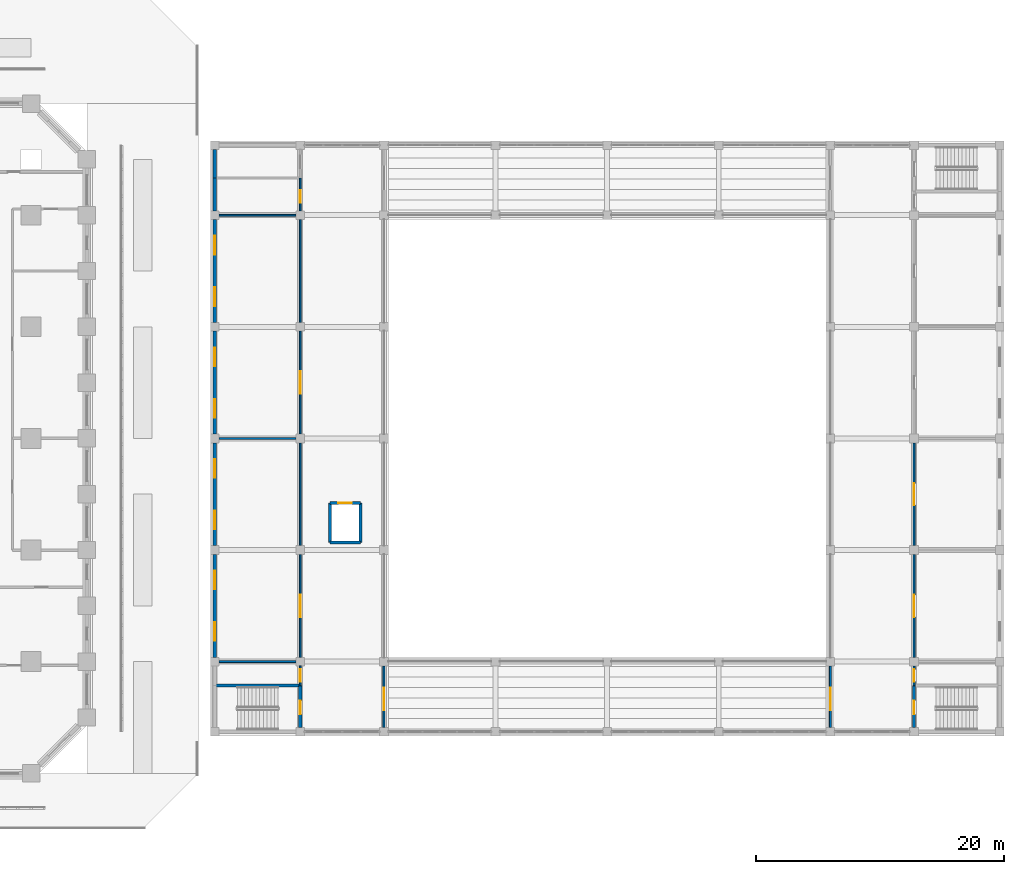
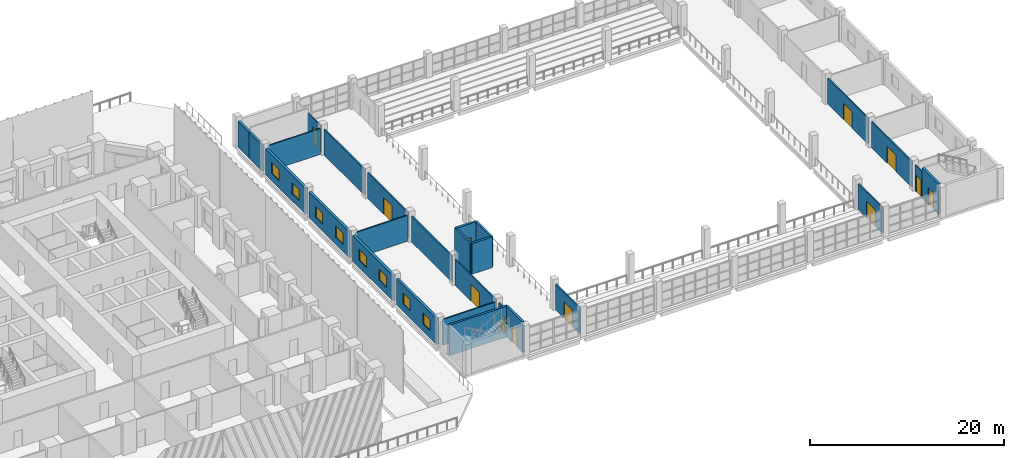
# One storey, part 23 of 36: 27 walls, 12 doors, 8 windows, 20 openings.
"""IFC4 building model written with IfcOpenShell, lengths in metres."""

from ifc_helpers import new_model, si_unit, direction, frame, frame_2d, origin, place, context, subcontext, project, spatial, rectangle, extrude, material, layer, layer_set, type_object, element, fill, save


model = new_model("IFC4")

# Units and contexts
model_context = context("Model", 3, precision=1e-05, world=origin(), true_north=direction((0.0, 1.0)))
body_context = subcontext(model_context, "Body", "Model", "MODEL_VIEW")
ifc_project = project(units=[si_unit("LENGTHUNIT", "METRE"), si_unit("AREAUNIT", "SQUARE_METRE"), si_unit("VOLUMEUNIT", "CUBIC_METRE"), si_unit("PLANEANGLEUNIT", "RADIAN"), si_unit("MASSUNIT", "GRAM", prefix="KILO")], contexts=[model_context])

# Site, building, storey
site_placement = place(None, origin())
site = spatial("IfcSite", under=ifc_project, at=site_placement, CompositionType="ELEMENT")
building_placement = place(site_placement, origin())
building = spatial("IfcBuilding", under=site, at=building_placement, Name="Corbel Stack Research Tower", CompositionType="ELEMENT")
storey_placement = place(building_placement, frame((0.0, 0.0, 7.199951171875)))
storey = spatial("IfcBuildingStorey", under=building, at=storey_placement, Name="L01", CompositionType="ELEMENT", Elevation=7.199951171875)

# Wall, openings, windows
ifc_material_1 = material(Name="Concrete C40/50", Category="concrete")
ifc_layer_1 = layer(ifc_material_1, 0.300048828125)
ifc_layer_set_1 = layer_set([ifc_layer_1], Name="Concrete C40/50")
wall_type_1 = type_object("IfcWallType", Name="HW1 exterior wall 300", PredefinedType="SOLIDWALL", material=ifc_layer_set_1)
wall_1_placement = place(storey_placement, frame((37.300048828125, -17.64990234375, 0.0), z_axis=(0.0, 0.0, 1.0), x_axis=(0.0, 1.0, 0.0)))
wall_1 = element("IfcWall", 1, at=wall_1_placement, inside=storey, type_object=wall_type_1, Name="Exterior wall L01 v37.30/-17.6", PredefinedType="SOLIDWALL", context=body_context, shape_type="SweptSolid", body=[
    extrude(rectangle(XDim=8.2998046875, YDim=0.300048828125, at=frame_2d((4.14990234375, 0.0))), origin(), (0.0, 0.0, 1.0), 3.25),
])
opening_1_placement = place(wall_1_placement, frame((1.324951171875, 0.0, 0.89990234375)))
opening_1 = element("IfcOpeningElement", 2, at=opening_1_placement, cuts=wall_1, Name="Opening HX1", PredefinedType="OPENING", context=body_context, shape_type="SweptSolid", body=[
    extrude(rectangle(XDim=1.5, YDim=1.39990234375, at=frame_2d((0.75, 0.699951171875))), frame((0.0, 0.159912109375, 0.0), z_axis=(0.0, -1.0, 0.0), x_axis=(1.0, 0.0, 0.0)), (0.0, 0.0, 1.0), 0.320068359375),
])
opening_2_placement = place(wall_1_placement, frame((5.47509765625, 0.0, 0.89990234375)))
opening_2 = element("IfcOpeningElement", 3, at=opening_2_placement, cuts=wall_1, Name="Opening HX1", PredefinedType="OPENING", context=body_context, shape_type="SweptSolid", body=[
    extrude(rectangle(XDim=1.5, YDim=1.39990234375, at=frame_2d((0.75, 0.699951171875))), frame((0.0, 0.159912109375, 0.0), z_axis=(0.0, -1.0, 0.0), x_axis=(1.0, 0.0, 0.0)), (0.0, 0.0, 1.0), 0.320068359375),
])
ifc_material_2 = material(Name="Glass and aluminium", Category="aluminium")
window_type = type_object("IfcWindowType", Name="HW6 window 1500 x 1400", PartitioningType="SINGLE_PANEL", PredefinedType="WINDOW", material=ifc_material_2)
window_1_placement = place(opening_1_placement, origin())
window_1 = element("IfcWindow", 4, at=window_1_placement, inside=storey, type_object=window_type, Name="Window L01 Strength and fitness studio", OverallHeight=1.39990234375, OverallWidth=1.5, PartitioningType="SINGLE_PANEL", PredefinedType="WINDOW", context=body_context, shape_type="SweptSolid", body=[
    extrude(rectangle(XDim=1.5, YDim=1.39990234375, at=frame_2d((0.75, 0.699951171875))), frame((0.0, 0.030029296875, 0.0), z_axis=(0.0, -1.0, 0.0), x_axis=(1.0, 0.0, 0.0)), (0.0, 0.0, 1.0), 0.06005859375),
])
fill(opening_1, window_1)
window_2_placement = place(opening_2_placement, origin())
window_2 = element("IfcWindow", 5, at=window_2_placement, inside=storey, type_object=window_type, Name="Window L01 Strength and fitness studio", OverallHeight=1.39990234375, OverallWidth=1.5, PartitioningType="SINGLE_PANEL", PredefinedType="WINDOW", context=body_context, shape_type="SweptSolid", body=[
    extrude(rectangle(XDim=1.5, YDim=1.39990234375, at=frame_2d((0.75, 0.699951171875))), frame((0.0, 0.030029296875, 0.0), z_axis=(0.0, -1.0, 0.0), x_axis=(1.0, 0.0, 0.0)), (0.0, 0.0, 1.0), 0.06005859375),
])
fill(opening_2, window_2)

wall_2_placement = place(storey_placement, frame((37.300048828125, -8.64990234375, 0.0), z_axis=(0.0, 0.0, 1.0), x_axis=(0.0, 1.0, 0.0)))
wall_2 = element("IfcWall", 6, at=wall_2_placement, inside=storey, type_object=wall_type_1, Name="Exterior wall L01 v37.30/-8.7", PredefinedType="SOLIDWALL", context=body_context, shape_type="SweptSolid", body=[
    extrude(rectangle(XDim=8.2998046875, YDim=0.300048828125, at=frame_2d((4.14990234375, 0.0))), origin(), (0.0, 0.0, 1.0), 3.25),
])
opening_3_placement = place(wall_2_placement, frame((1.324951171875, 0.0, 0.89990234375)))
opening_3 = element("IfcOpeningElement", 7, at=opening_3_placement, cuts=wall_2, Name="Opening HX1", PredefinedType="OPENING", context=body_context, shape_type="SweptSolid", body=[
    extrude(rectangle(XDim=1.5, YDim=1.39990234375, at=frame_2d((0.75, 0.699951171875))), frame((0.0, 0.159912109375, 0.0), z_axis=(0.0, -1.0, 0.0), x_axis=(1.0, 0.0, 0.0)), (0.0, 0.0, 1.0), 0.320068359375),
])
opening_4_placement = place(wall_2_placement, frame((5.47509765625, 0.0, 0.89990234375)))
opening_4 = element("IfcOpeningElement", 8, at=opening_4_placement, cuts=wall_2, Name="Opening HX1", PredefinedType="OPENING", context=body_context, shape_type="SweptSolid", body=[
    extrude(rectangle(XDim=1.5, YDim=1.39990234375, at=frame_2d((0.75, 0.699951171875))), frame((0.0, 0.159912109375, 0.0), z_axis=(0.0, -1.0, 0.0), x_axis=(1.0, 0.0, 0.0)), (0.0, 0.0, 1.0), 0.320068359375),
])
window_3_placement = place(opening_3_placement, origin())
window_3 = element("IfcWindow", 9, at=window_3_placement, inside=storey, type_object=window_type, Name="Window L01 Strength and fitness studio", OverallHeight=1.39990234375, OverallWidth=1.5, PartitioningType="SINGLE_PANEL", PredefinedType="WINDOW", context=body_context, shape_type="SweptSolid", body=[
    extrude(rectangle(XDim=1.5, YDim=1.39990234375, at=frame_2d((0.75, 0.699951171875))), frame((0.0, 0.030029296875, 0.0), z_axis=(0.0, -1.0, 0.0), x_axis=(1.0, 0.0, 0.0)), (0.0, 0.0, 1.0), 0.06005859375),
])
fill(opening_3, window_3)
window_4_placement = place(opening_4_placement, origin())
window_4 = element("IfcWindow", 10, at=window_4_placement, inside=storey, type_object=window_type, Name="Window L01 Strength and fitness studio", OverallHeight=1.39990234375, OverallWidth=1.5, PartitioningType="SINGLE_PANEL", PredefinedType="WINDOW", context=body_context, shape_type="SweptSolid", body=[
    extrude(rectangle(XDim=1.5, YDim=1.39990234375, at=frame_2d((0.75, 0.699951171875))), frame((0.0, 0.030029296875, 0.0), z_axis=(0.0, -1.0, 0.0), x_axis=(1.0, 0.0, 0.0)), (0.0, 0.0, 1.0), 0.06005859375),
])
fill(opening_4, window_4)

wall_3_placement = place(storey_placement, frame((37.300048828125, 0.35009765625, 0.0), z_axis=(0.0, 0.0, 1.0), x_axis=(0.0, 1.0, 0.0)))
wall_3 = element("IfcWall", 11, at=wall_3_placement, inside=storey, type_object=wall_type_1, Name="Exterior wall L01 v37.30/0.3", PredefinedType="SOLIDWALL", context=body_context, shape_type="SweptSolid", body=[
    extrude(rectangle(XDim=8.2998046875, YDim=0.300048828125, at=frame_2d((4.14990234375, 0.0))), origin(), (0.0, 0.0, 1.0), 3.25),
])
opening_5_placement = place(wall_3_placement, frame((1.324951171875, 0.0, 0.89990234375)))
opening_5 = element("IfcOpeningElement", 12, at=opening_5_placement, cuts=wall_3, Name="Opening HX1", PredefinedType="OPENING", context=body_context, shape_type="SweptSolid", body=[
    extrude(rectangle(XDim=1.5, YDim=1.39990234375, at=frame_2d((0.75, 0.699951171875))), frame((0.0, 0.159912109375, 0.0), z_axis=(0.0, -1.0, 0.0), x_axis=(1.0, 0.0, 0.0)), (0.0, 0.0, 1.0), 0.320068359375),
])
opening_6_placement = place(wall_3_placement, frame((5.47509765625, 0.0, 0.89990234375)))
opening_6 = element("IfcOpeningElement", 13, at=opening_6_placement, cuts=wall_3, Name="Opening HX1", PredefinedType="OPENING", context=body_context, shape_type="SweptSolid", body=[
    extrude(rectangle(XDim=1.5, YDim=1.39990234375, at=frame_2d((0.75, 0.699951171875))), frame((0.0, 0.159912109375, 0.0), z_axis=(0.0, -1.0, 0.0), x_axis=(1.0, 0.0, 0.0)), (0.0, 0.0, 1.0), 0.320068359375),
])
window_5_placement = place(opening_5_placement, origin())
window_5 = element("IfcWindow", 14, at=window_5_placement, inside=storey, type_object=window_type, Name="Window L01 Cafe", OverallHeight=1.39990234375, OverallWidth=1.5, PartitioningType="SINGLE_PANEL", PredefinedType="WINDOW", context=body_context, shape_type="SweptSolid", body=[
    extrude(rectangle(XDim=1.5, YDim=1.39990234375, at=frame_2d((0.75, 0.699951171875))), frame((0.0, 0.030029296875, 0.0), z_axis=(0.0, -1.0, 0.0), x_axis=(1.0, 0.0, 0.0)), (0.0, 0.0, 1.0), 0.06005859375),
])
fill(opening_5, window_5)
window_6_placement = place(opening_6_placement, origin())
window_6 = element("IfcWindow", 15, at=window_6_placement, inside=storey, type_object=window_type, Name="Window L01 Cafe", OverallHeight=1.39990234375, OverallWidth=1.5, PartitioningType="SINGLE_PANEL", PredefinedType="WINDOW", context=body_context, shape_type="SweptSolid", body=[
    extrude(rectangle(XDim=1.5, YDim=1.39990234375, at=frame_2d((0.75, 0.699951171875))), frame((0.0, 0.030029296875, 0.0), z_axis=(0.0, -1.0, 0.0), x_axis=(1.0, 0.0, 0.0)), (0.0, 0.0, 1.0), 0.06005859375),
])
fill(opening_6, window_6)

wall_4_placement = place(storey_placement, frame((37.300048828125, 9.35009765625, 0.0), z_axis=(0.0, 0.0, 1.0), x_axis=(0.0, 1.0, 0.0)))
wall_4 = element("IfcWall", 16, at=wall_4_placement, inside=storey, type_object=wall_type_1, Name="Exterior wall L01 v37.30/9.3", PredefinedType="SOLIDWALL", context=body_context, shape_type="SweptSolid", body=[
    extrude(rectangle(XDim=8.2998046875, YDim=0.300048828125, at=frame_2d((4.14990234375, 0.0))), origin(), (0.0, 0.0, 1.0), 3.25),
])
opening_7_placement = place(wall_4_placement, frame((1.324951171875, 0.0, 0.89990234375)))
opening_7 = element("IfcOpeningElement", 17, at=opening_7_placement, cuts=wall_4, Name="Opening HX1", PredefinedType="OPENING", context=body_context, shape_type="SweptSolid", body=[
    extrude(rectangle(XDim=1.5, YDim=1.39990234375, at=frame_2d((0.75, 0.699951171875))), frame((0.0, 0.159912109375, 0.0), z_axis=(0.0, -1.0, 0.0), x_axis=(1.0, 0.0, 0.0)), (0.0, 0.0, 1.0), 0.320068359375),
])
opening_8_placement = place(wall_4_placement, frame((5.47509765625, 0.0, 0.89990234375)))
opening_8 = element("IfcOpeningElement", 18, at=opening_8_placement, cuts=wall_4, Name="Opening HX1", PredefinedType="OPENING", context=body_context, shape_type="SweptSolid", body=[
    extrude(rectangle(XDim=1.5, YDim=1.39990234375, at=frame_2d((0.75, 0.699951171875))), frame((0.0, 0.159912109375, 0.0), z_axis=(0.0, -1.0, 0.0), x_axis=(1.0, 0.0, 0.0)), (0.0, 0.0, 1.0), 0.320068359375),
])
window_7_placement = place(opening_7_placement, origin())
window_7 = element("IfcWindow", 19, at=window_7_placement, inside=storey, type_object=window_type, Name="Window L01 Cafe", OverallHeight=1.39990234375, OverallWidth=1.5, PartitioningType="SINGLE_PANEL", PredefinedType="WINDOW", context=body_context, shape_type="SweptSolid", body=[
    extrude(rectangle(XDim=1.5, YDim=1.39990234375, at=frame_2d((0.75, 0.699951171875))), frame((0.0, 0.030029296875, 0.0), z_axis=(0.0, -1.0, 0.0), x_axis=(1.0, 0.0, 0.0)), (0.0, 0.0, 1.0), 0.06005859375),
])
fill(opening_7, window_7)
window_8_placement = place(opening_8_placement, origin())
window_8 = element("IfcWindow", 20, at=window_8_placement, inside=storey, type_object=window_type, Name="Window L01 Cafe", OverallHeight=1.39990234375, OverallWidth=1.5, PartitioningType="SINGLE_PANEL", PredefinedType="WINDOW", context=body_context, shape_type="SweptSolid", body=[
    extrude(rectangle(XDim=1.5, YDim=1.39990234375, at=frame_2d((0.75, 0.699951171875))), frame((0.0, 0.030029296875, 0.0), z_axis=(0.0, -1.0, 0.0), x_axis=(1.0, 0.0, 0.0)), (0.0, 0.0, 1.0), 0.06005859375),
])
fill(opening_8, window_8)

# Walls
wall_5_placement = place(storey_placement, frame((37.300048828125, 18.35009765625, 0.0), z_axis=(0.0, 0.0, 1.0), x_axis=(0.0, 1.0, 0.0)))
element("IfcWall", 21, at=wall_5_placement, inside=storey, type_object=wall_type_1, Name="Exterior wall L01 v37.30/18.4", PredefinedType="SOLIDWALL", context=body_context, shape_type="SweptSolid", body=[
    extrude(rectangle(XDim=2.64990234375, YDim=0.300048828125, at=frame_2d((1.324951171875, 0.0))), origin(), (0.0, 0.0, 1.0), 3.25),
])
wall_6_placement = place(storey_placement, frame((37.300048828125, 21.0, 0.0), z_axis=(0.0, 0.0, 1.0), x_axis=(0.0, 1.0, 0.0)))
element("IfcWall", 22, at=wall_6_placement, inside=storey, type_object=wall_type_1, Name="Exterior wall L01 v37.30/21.0", PredefinedType="SOLIDWALL", context=body_context, shape_type="SweptSolid", body=[
    extrude(rectangle(XDim=2.300048828125, YDim=0.300048828125, at=frame_2d((1.14990234375, 0.0))), origin(), (0.0, 0.0, 1.0), 3.25),
])
ifc_material_3 = material(Name="Concrete C40/50", Category="concrete")
ifc_layer_2 = layer(ifc_material_3, 0.25)
ifc_layer_set_2 = layer_set([ifc_layer_2], Name="Concrete C40/50")
wall_type_2 = type_object("IfcWallType", Name="HW2 core wall C40/50 250", PredefinedType="SHEAR", material=ifc_layer_set_2)
wall_7_placement = place(storey_placement, frame((37.300048828125, -19.925048828125, 0.0), z_axis=(0.0, 0.0, 1.0), x_axis=(1.0, 0.0, 0.0)))
element("IfcWall", 23, at=wall_7_placement, inside=storey, type_object=wall_type_2, Name="Wall L01 h-19.93/37.3", PredefinedType="SHEAR", context=body_context, shape_type="SweptSolid", body=[
    extrude(rectangle(XDim=6.89990234375, YDim=0.25, at=frame_2d((3.449951171875, 0.0))), origin(), (0.0, 0.0, 1.0), 3.85009765625),
])
wall_8_placement = place(storey_placement, frame((46.60009765625, -8.39990234375, 0.0), z_axis=(0.0, 0.0, 1.0), x_axis=(1.0, 0.0, 0.0)))
element("IfcWall", 24, at=wall_8_placement, inside=storey, type_object=wall_type_2, Name="Wall L01 h-8.40/46.6", PredefinedType="SHEAR", context=body_context, shape_type="SweptSolid", body=[
    extrude(rectangle(XDim=2.449951171875, YDim=0.25, at=frame_2d((1.22509765625, 0.0))), origin(), (0.0, 0.0, 1.0), 3.85009765625),
])

# Wall, opening, door
wall_9_placement = place(storey_placement, frame((46.60009765625, -5.199951171875, 0.0), z_axis=(0.0, 0.0, 1.0), x_axis=(1.0, 0.0, 0.0)))
wall_9 = element("IfcWall", 25, at=wall_9_placement, inside=storey, type_object=wall_type_2, Name="Wall L01 h-5.20/46.6", PredefinedType="SHEAR", context=body_context, shape_type="SweptSolid", body=[
    extrude(rectangle(XDim=2.449951171875, YDim=0.25, at=frame_2d((1.22509765625, 0.0))), origin(), (0.0, 0.0, 1.0), 3.85009765625),
])
opening_9_placement = place(wall_9_placement, frame((0.675048828125, 0.0, 0.0)))
opening_9 = element("IfcOpeningElement", 26, at=opening_9_placement, cuts=wall_9, Name="Opening H1-01", PredefinedType="OPENING", context=body_context, shape_type="SweptSolid", body=[
    extrude(rectangle(XDim=1.10009765625, YDim=2.10009765625, at=frame_2d((0.550048828125, 1.050048828125))), frame((0.0, 0.135009765625, 0.0), z_axis=(0.0, -1.0, 0.0), x_axis=(1.0, 0.0, 0.0)), (0.0, 0.0, 1.0), 0.27001953125),
])
ifc_material_4 = material(Name="Timber", Category="wood")
door_type_1 = type_object("IfcDoorType", Name="HD5 lift landing door 1100 x 2100", OperationType="DOUBLE_DOOR_SLIDING", PredefinedType="DOOR", material=ifc_material_4)
door_1_placement = place(opening_9_placement, origin())
door_1 = element("IfcDoor", 27, at=door_1_placement, inside=storey, type_object=door_type_1, Name="Lift landing door H1-01", OperationType="DOUBLE_DOOR_SLIDING", OverallHeight=2.10009765625, OverallWidth=1.10009765625, PredefinedType="DOOR", context=body_context, shape_type="SweptSolid", body=[
    extrude(rectangle(XDim=1.10009765625, YDim=2.10009765625, at=frame_2d((0.550048828125, 1.050048828125))), frame((0.0, 0.02490234375, 0.0), z_axis=(0.0, -1.0, 0.0), x_axis=(1.0, 0.0, 0.0)), (0.0, 0.0, 1.0), 0.050048828125),
])
fill(opening_9, door_1)

wall_10_placement = place(storey_placement, frame((44.199951171875, -19.925048828125, 0.0), z_axis=(0.0, 0.0, 1.0), x_axis=(0.0, -1.0, 0.0)))
wall_10 = element("IfcWall", 28, at=wall_10_placement, inside=storey, type_object=wall_type_2, Name="Wall L01 v44.20/-23.3", PredefinedType="SHEAR", context=body_context, shape_type="SweptSolid", body=[
    extrude(rectangle(XDim=3.375, YDim=0.25, at=frame_2d((1.6875, 0.0))), origin(), (0.0, 0.0, 1.0), 3.85009765625),
])
opening_10_placement = place(wall_10_placement, frame((1.22509765625, 0.0, 0.0)))
opening_10 = element("IfcOpeningElement", 29, at=opening_10_placement, cuts=wall_10, Name="Opening H1-02", PredefinedType="OPENING", context=body_context, shape_type="SweptSolid", body=[
    extrude(rectangle(XDim=1.10009765625, YDim=2.10009765625, at=frame_2d((0.550048828125, 1.050048828125))), frame((0.0, 0.135009765625, 0.0), z_axis=(0.0, -1.0, 0.0), x_axis=(1.0, 0.0, 0.0)), (0.0, 0.0, 1.0), 0.27001953125),
])
ifc_material_5 = material(Name="Steel", Category="steel")
door_type_2 = type_object("IfcDoorType", Name="HD4 fire door 1100 x 2100", OperationType="NOTDEFINED", PredefinedType="DOOR", material=ifc_material_5)
door_2_placement = place(opening_10_placement, origin())
door_2 = element("IfcDoor", 30, at=door_2_placement, inside=storey, type_object=door_type_2, Name="Door H1-02", OperationType="SINGLE_SWING_RIGHT", OverallHeight=2.10009765625, OverallWidth=1.10009765625, PredefinedType="DOOR", context=body_context, shape_type="SweptSolid", body=[
    extrude(rectangle(XDim=1.10009765625, YDim=2.10009765625, at=frame_2d((0.550048828125, 1.050048828125))), frame((0.0, 0.02490234375, 0.0), z_axis=(0.0, -1.0, 0.0), x_axis=(1.0, 0.0, 0.0)), (0.0, 0.0, 1.0), 0.050048828125),
])
fill(opening_10, door_2)

# Walls
for number, where, z_axis, x_axis, name in (
    (31, (46.60009765625, -8.39990234375, 0.0), (0.0, 0.0, 1.0), (0.0, 1.0, 0.0), "Wall L01 v46.60/-8.4"),
    (32, (49.050048828125, -8.39990234375, 0.0), (0.0, 0.0, 1.0), (0.0, 1.0, 0.0), "Wall L01 v49.05/-8.4"),
):
    element("IfcWall", number, at=place(storey_placement, frame(where, z_axis=z_axis, x_axis=x_axis)), inside=storey, type_object=wall_type_2, Name=name, PredefinedType="SHEAR", context=body_context, shape_type="SweptSolid", body=[
        extrude(rectangle(XDim=3.199951171875, YDim=0.25, at=frame_2d((1.60009765625, 0.0))), origin(), (0.0, 0.0, 1.0), 3.85009765625),
    ])

# Wall, opening, door
wall_11_placement = place(storey_placement, frame((93.699951171875, -23.300048828125, 0.0), z_axis=(0.0, 0.0, 1.0), x_axis=(0.0, 1.0, 0.0)))
wall_11 = element("IfcWall", 33, at=wall_11_placement, inside=storey, type_object=wall_type_2, Name="Wall L01 v93.70/-23.3", PredefinedType="SHEAR", context=body_context, shape_type="SweptSolid", body=[
    extrude(rectangle(XDim=3.375, YDim=0.25, at=frame_2d((1.6875, 0.0))), origin(), (0.0, 0.0, 1.0), 3.85009765625),
])
opening_11_placement = place(wall_11_placement, frame((1.050048828125, 0.0, 0.0)))
opening_11 = element("IfcOpeningElement", 34, at=opening_11_placement, cuts=wall_11, Name="Opening H1-12", PredefinedType="OPENING", context=body_context, shape_type="SweptSolid", body=[
    extrude(rectangle(XDim=1.10009765625, YDim=2.10009765625, at=frame_2d((0.550048828125, 1.050048828125))), frame((0.0, 0.135009765625, 0.0), z_axis=(0.0, -1.0, 0.0), x_axis=(1.0, 0.0, 0.0)), (0.0, 0.0, 1.0), 0.27001953125),
])
door_3_placement = place(opening_11_placement, origin())
door_3 = element("IfcDoor", 35, at=door_3_placement, inside=storey, type_object=door_type_2, Name="Door H1-12", OperationType="SINGLE_SWING_RIGHT", OverallHeight=2.10009765625, OverallWidth=1.10009765625, PredefinedType="DOOR", context=body_context, shape_type="SweptSolid", body=[
    extrude(rectangle(XDim=1.10009765625, YDim=2.10009765625, at=frame_2d((0.550048828125, 1.050048828125))), frame((0.0, 0.02490234375, 0.0), z_axis=(0.0, -1.0, 0.0), x_axis=(1.0, 0.0, 0.0)), (0.0, 0.0, 1.0), 0.050048828125),
])
fill(opening_11, door_3)

# Walls
ifc_material_6 = material(Name="Concrete masonry unit", Category="masonry")
ifc_layer_3 = layer(ifc_material_6, 0.14990234375)
ifc_layer_set_3 = layer_set([ifc_layer_3], Name="Concrete masonry unit")
wall_type_3 = type_object("IfcWallType", Name="HW3 partition 150", PredefinedType="PARTITIONING", material=ifc_layer_set_3)
for number, where, z_axis, x_axis, name in (
    (36, (37.64990234375, -18.0, 0.0), (0.0, 0.0, 1.0), (1.0, 0.0, 0.0), "Wall L01 h-18.00/37.6"),
    (37, (37.64990234375, 0.0, 0.0), (0.0, 0.0, 1.0), (1.0, 0.0, 0.0), "Wall L01 h0.00/37.6"),
    (38, (37.64990234375, 18.0, 0.0), (0.0, 0.0, 1.0), (1.0, 0.0, 0.0), "Wall L01 h18.00/37.6"),
):
    element("IfcWall", number, at=place(storey_placement, frame(where, z_axis=z_axis, x_axis=x_axis)), inside=storey, type_object=wall_type_3, Name=name, PredefinedType="PARTITIONING", context=body_context, shape_type="SweptSolid", body=[
        extrude(rectangle(XDim=6.2001953125, YDim=0.14990234375, at=frame_2d((3.10009765625, 0.0))), origin(), (0.0, 0.0, 1.0), 3.25),
    ])

# Wall, opening, door
wall_12_placement = place(storey_placement, frame((44.199951171875, -19.925048828125, 0.0), z_axis=(0.0, 0.0, 1.0), x_axis=(0.0, 1.0, 0.0)))
wall_12 = element("IfcWall", 39, at=wall_12_placement, inside=storey, type_object=wall_type_3, Name="Wall L01 v44.20/-19.9", PredefinedType="PARTITIONING", context=body_context, shape_type="SweptSolid", body=[
    extrude(rectangle(XDim=1.574951171875, YDim=0.14990234375, at=frame_2d((0.78759765625, 0.0))), origin(), (0.0, 0.0, 1.0), 3.25),
])
opening_12_placement = place(wall_12_placement, frame((0.324951171875, 0.0, 0.0)))
opening_12 = element("IfcOpeningElement", 40, at=opening_12_placement, cuts=wall_12, Name="Opening H1-03", PredefinedType="OPENING", context=body_context, shape_type="SweptSolid", body=[
    extrude(rectangle(XDim=1.0, YDim=2.10009765625, at=frame_2d((0.5, 1.050048828125))), frame((0.0, 0.0849609375, 0.0), z_axis=(0.0, -1.0, 0.0), x_axis=(1.0, 0.0, 0.0)), (0.0, 0.0, 1.0), 0.169921875),
])
ifc_material_7 = material(Name="Timber", Category="wood")
door_type_3 = type_object("IfcDoorType", Name="HD1 single door 1000 x 2100", OperationType="NOTDEFINED", PredefinedType="DOOR", material=ifc_material_7)
door_4_placement = place(opening_12_placement, origin())
door_4 = element("IfcDoor", 41, at=door_4_placement, inside=storey, type_object=door_type_3, Name="Door H1-03", OperationType="SINGLE_SWING_LEFT", OverallHeight=2.10009765625, OverallWidth=1.0, PredefinedType="DOOR", context=body_context, shape_type="SweptSolid", body=[
    extrude(rectangle(XDim=1.0, YDim=2.10009765625, at=frame_2d((0.5, 1.050048828125))), frame((0.0, 0.02490234375, 0.0), z_axis=(0.0, -1.0, 0.0), x_axis=(1.0, 0.0, 0.0)), (0.0, 0.0, 1.0), 0.050048828125),
])
fill(opening_12, door_4)

wall_13_placement = place(storey_placement, frame((44.199951171875, -9.35009765625, 0.0), z_axis=(0.0, 0.0, 1.0), x_axis=(0.0, -1.0, 0.0)))
wall_13 = element("IfcWall", 42, at=wall_13_placement, inside=storey, type_object=wall_type_3, Name="Wall L01 v44.20/-17.6", PredefinedType="PARTITIONING", context=body_context, shape_type="SweptSolid", body=[
    extrude(rectangle(XDim=8.2998046875, YDim=0.14990234375, at=frame_2d((4.14990234375, 0.0))), origin(), (0.0, 0.0, 1.0), 3.25),
])
opening_13_placement = place(wall_13_placement, frame((3.25, 0.0, 0.0)))
opening_13 = element("IfcOpeningElement", 43, at=opening_13_placement, cuts=wall_13, Name="Opening H1-04", PredefinedType="OPENING", context=body_context, shape_type="SweptSolid", body=[
    extrude(rectangle(XDim=1.800048828125, YDim=2.10009765625, at=frame_2d((0.89990234375, 1.050048828125))), frame((0.0, 0.0849609375, 0.0), z_axis=(0.0, -1.0, 0.0), x_axis=(1.0, 0.0, 0.0)), (0.0, 0.0, 1.0), 0.169921875),
])
ifc_material_8 = material(Name="Timber", Category="wood")
door_type_4 = type_object("IfcDoorType", Name="HD2 double door 1800 x 2100", OperationType="DOUBLE_DOOR_SINGLE_SWING", PredefinedType="DOOR", material=ifc_material_8)
door_5_placement = place(opening_13_placement, origin())
door_5 = element("IfcDoor", 44, at=door_5_placement, inside=storey, type_object=door_type_4, Name="Door H1-04", OperationType="DOUBLE_DOOR_SINGLE_SWING", OverallHeight=2.10009765625, OverallWidth=1.800048828125, PredefinedType="DOOR", context=body_context, shape_type="SweptSolid", body=[
    extrude(rectangle(XDim=1.800048828125, YDim=2.10009765625, at=frame_2d((0.89990234375, 1.050048828125))), frame((0.0, 0.02490234375, 0.0), z_axis=(0.0, -1.0, 0.0), x_axis=(1.0, 0.0, 0.0)), (0.0, 0.0, 1.0), 0.050048828125),
])
fill(opening_13, door_5)

# Wall
wall_14_placement = place(storey_placement, frame((44.199951171875, -8.64990234375, 0.0), z_axis=(0.0, 0.0, 1.0), x_axis=(0.0, 1.0, 0.0)))
element("IfcWall", 45, at=wall_14_placement, inside=storey, type_object=wall_type_3, Name="Wall L01 v44.20/-8.7", PredefinedType="PARTITIONING", context=body_context, shape_type="SweptSolid", body=[
    extrude(rectangle(XDim=8.2998046875, YDim=0.14990234375, at=frame_2d((4.14990234375, 0.0))), origin(), (0.0, 0.0, 1.0), 3.25),
])

# Wall, opening, door
wall_15_placement = place(storey_placement, frame((44.199951171875, 8.64990234375, 0.0), z_axis=(0.0, 0.0, 1.0), x_axis=(0.0, -1.0, 0.0)))
wall_15 = element("IfcWall", 46, at=wall_15_placement, inside=storey, type_object=wall_type_3, Name="Wall L01 v44.20/0.3", PredefinedType="PARTITIONING", context=body_context, shape_type="SweptSolid", body=[
    extrude(rectangle(XDim=8.2998046875, YDim=0.14990234375, at=frame_2d((4.14990234375, 0.0))), origin(), (0.0, 0.0, 1.0), 3.25),
])
opening_14_placement = place(wall_15_placement, frame((3.25, 0.0, 0.0)))
opening_14 = element("IfcOpeningElement", 47, at=opening_14_placement, cuts=wall_15, Name="Opening H1-05", PredefinedType="OPENING", context=body_context, shape_type="SweptSolid", body=[
    extrude(rectangle(XDim=1.800048828125, YDim=2.10009765625, at=frame_2d((0.89990234375, 1.050048828125))), frame((0.0, 0.0849609375, 0.0), z_axis=(0.0, -1.0, 0.0), x_axis=(1.0, 0.0, 0.0)), (0.0, 0.0, 1.0), 0.169921875),
])
door_6_placement = place(opening_14_placement, origin())
door_6 = element("IfcDoor", 48, at=door_6_placement, inside=storey, type_object=door_type_4, Name="Door H1-05", OperationType="DOUBLE_DOOR_SINGLE_SWING", OverallHeight=2.10009765625, OverallWidth=1.800048828125, PredefinedType="DOOR", context=body_context, shape_type="SweptSolid", body=[
    extrude(rectangle(XDim=1.800048828125, YDim=2.10009765625, at=frame_2d((0.89990234375, 1.050048828125))), frame((0.0, 0.02490234375, 0.0), z_axis=(0.0, -1.0, 0.0), x_axis=(1.0, 0.0, 0.0)), (0.0, 0.0, 1.0), 0.050048828125),
])
fill(opening_14, door_6)

# Wall
wall_16_placement = place(storey_placement, frame((44.199951171875, 9.35009765625, 0.0), z_axis=(0.0, 0.0, 1.0), x_axis=(0.0, 1.0, 0.0)))
element("IfcWall", 49, at=wall_16_placement, inside=storey, type_object=wall_type_3, Name="Wall L01 v44.20/9.3", PredefinedType="PARTITIONING", context=body_context, shape_type="SweptSolid", body=[
    extrude(rectangle(XDim=8.2998046875, YDim=0.14990234375, at=frame_2d((4.14990234375, 0.0))), origin(), (0.0, 0.0, 1.0), 3.25),
])

# Wall, opening, door
wall_17_placement = place(storey_placement, frame((44.199951171875, 18.35009765625, 0.0), z_axis=(0.0, 0.0, 1.0), x_axis=(0.0, 1.0, 0.0)))
wall_17 = element("IfcWall", 50, at=wall_17_placement, inside=storey, type_object=wall_type_3, Name="Wall L01 v44.20/18.4", PredefinedType="PARTITIONING", context=body_context, shape_type="SweptSolid", body=[
    extrude(rectangle(XDim=2.64990234375, YDim=0.14990234375, at=frame_2d((1.324951171875, 0.0))), origin(), (0.0, 0.0, 1.0), 3.25),
])
opening_15_placement = place(wall_17_placement, frame((0.64990234375, 0.0, 0.0)))
opening_15 = element("IfcOpeningElement", 51, at=opening_15_placement, cuts=wall_17, Name="Opening H1-06", PredefinedType="OPENING", context=body_context, shape_type="SweptSolid", body=[
    extrude(rectangle(XDim=1.0, YDim=2.10009765625, at=frame_2d((0.5, 1.050048828125))), frame((0.0, 0.0849609375, 0.0), z_axis=(0.0, -1.0, 0.0), x_axis=(1.0, 0.0, 0.0)), (0.0, 0.0, 1.0), 0.169921875),
])
door_7_placement = place(opening_15_placement, origin())
door_7 = element("IfcDoor", 52, at=door_7_placement, inside=storey, type_object=door_type_3, Name="Door H1-06", OperationType="SINGLE_SWING_RIGHT", OverallHeight=2.10009765625, OverallWidth=1.0, PredefinedType="DOOR", context=body_context, shape_type="SweptSolid", body=[
    extrude(rectangle(XDim=1.0, YDim=2.10009765625, at=frame_2d((0.5, 1.050048828125))), frame((0.0, 0.02490234375, 0.0), z_axis=(0.0, -1.0, 0.0), x_axis=(1.0, 0.0, 0.0)), (0.0, 0.0, 1.0), 0.050048828125),
])
fill(opening_15, door_7)

wall_18_placement = place(storey_placement, frame((50.949951171875, -23.300048828125, 0.0), z_axis=(0.0, 0.0, 1.0), x_axis=(0.0, 1.0, 0.0)))
wall_18 = element("IfcWall", 53, at=wall_18_placement, inside=storey, type_object=wall_type_3, Name="Wall L01 v50.95/-23.3", PredefinedType="PARTITIONING", context=body_context, shape_type="SweptSolid", body=[
    extrude(rectangle(XDim=4.949951171875, YDim=0.14990234375, at=frame_2d((2.47509765625, 0.0))), origin(), (0.0, 0.0, 1.0), 3.25),
])
opening_16_placement = place(wall_18_placement, frame((1.39990234375, 0.0, 0.0)))
opening_16 = element("IfcOpeningElement", 54, at=opening_16_placement, cuts=wall_18, Name="Opening H1-08", PredefinedType="OPENING", context=body_context, shape_type="SweptSolid", body=[
    extrude(rectangle(XDim=1.800048828125, YDim=2.10009765625, at=frame_2d((0.89990234375, 1.050048828125))), frame((0.0, 0.0849609375, 0.0), z_axis=(0.0, -1.0, 0.0), x_axis=(1.0, 0.0, 0.0)), (0.0, 0.0, 1.0), 0.169921875),
])
door_8_placement = place(opening_16_placement, origin())
door_8 = element("IfcDoor", 55, at=door_8_placement, inside=storey, type_object=door_type_4, Name="Door H1-08", OperationType="DOUBLE_DOOR_SINGLE_SWING", OverallHeight=2.10009765625, OverallWidth=1.800048828125, PredefinedType="DOOR", context=body_context, shape_type="SweptSolid", body=[
    extrude(rectangle(XDim=1.800048828125, YDim=2.10009765625, at=frame_2d((0.89990234375, 1.050048828125))), frame((0.0, 0.02490234375, 0.0), z_axis=(0.0, -1.0, 0.0), x_axis=(1.0, 0.0, 0.0)), (0.0, 0.0, 1.0), 0.050048828125),
])
fill(opening_16, door_8)

wall_19_placement = place(storey_placement, frame((86.949951171875, -18.35009765625, 0.0), z_axis=(0.0, 0.0, 1.0), x_axis=(0.0, -1.0, 0.0)))
wall_19 = element("IfcWall", 56, at=wall_19_placement, inside=storey, type_object=wall_type_3, Name="Wall L01 v86.95/-23.3", PredefinedType="PARTITIONING", context=body_context, shape_type="SweptSolid", body=[
    extrude(rectangle(XDim=4.949951171875, YDim=0.14990234375, at=frame_2d((2.47509765625, 0.0))), origin(), (0.0, 0.0, 1.0), 3.25),
])
opening_17_placement = place(wall_19_placement, frame((1.75, 0.0, 0.0)))
opening_17 = element("IfcOpeningElement", 57, at=opening_17_placement, cuts=wall_19, Name="Opening H1-10", PredefinedType="OPENING", context=body_context, shape_type="SweptSolid", body=[
    extrude(rectangle(XDim=1.800048828125, YDim=2.10009765625, at=frame_2d((0.89990234375, 1.050048828125))), frame((0.0, 0.0849609375, 0.0), z_axis=(0.0, -1.0, 0.0), x_axis=(1.0, 0.0, 0.0)), (0.0, 0.0, 1.0), 0.169921875),
])
door_9_placement = place(opening_17_placement, origin())
door_9 = element("IfcDoor", 58, at=door_9_placement, inside=storey, type_object=door_type_4, Name="Door H1-10", OperationType="DOUBLE_DOOR_SINGLE_SWING", OverallHeight=2.10009765625, OverallWidth=1.800048828125, PredefinedType="DOOR", context=body_context, shape_type="SweptSolid", body=[
    extrude(rectangle(XDim=1.800048828125, YDim=2.10009765625, at=frame_2d((0.89990234375, 1.050048828125))), frame((0.0, 0.02490234375, 0.0), z_axis=(0.0, -1.0, 0.0), x_axis=(1.0, 0.0, 0.0)), (0.0, 0.0, 1.0), 0.050048828125),
])
fill(opening_17, door_9)

wall_20_placement = place(storey_placement, frame((93.699951171875, -18.35009765625, 0.0), z_axis=(0.0, 0.0, 1.0), x_axis=(0.0, -1.0, 0.0)))
wall_20 = element("IfcWall", 59, at=wall_20_placement, inside=storey, type_object=wall_type_3, Name="Wall L01 v93.70/-19.9", PredefinedType="PARTITIONING", context=body_context, shape_type="SweptSolid", body=[
    extrude(rectangle(XDim=1.574951171875, YDim=0.14990234375, at=frame_2d((0.78759765625, 0.0))), origin(), (0.0, 0.0, 1.0), 3.25),
])
opening_18_placement = place(wall_20_placement, frame((0.25, 0.0, 0.0)))
opening_18 = element("IfcOpeningElement", 60, at=opening_18_placement, cuts=wall_20, Name="Opening H1-13", PredefinedType="OPENING", context=body_context, shape_type="SweptSolid", body=[
    extrude(rectangle(XDim=1.0, YDim=2.10009765625, at=frame_2d((0.5, 1.050048828125))), frame((0.0, 0.0849609375, 0.0), z_axis=(0.0, -1.0, 0.0), x_axis=(1.0, 0.0, 0.0)), (0.0, 0.0, 1.0), 0.169921875),
])
door_10_placement = place(opening_18_placement, origin())
door_10 = element("IfcDoor", 61, at=door_10_placement, inside=storey, type_object=door_type_3, Name="Door H1-13", OperationType="SINGLE_SWING_LEFT", OverallHeight=2.10009765625, OverallWidth=1.0, PredefinedType="DOOR", context=body_context, shape_type="SweptSolid", body=[
    extrude(rectangle(XDim=1.0, YDim=2.10009765625, at=frame_2d((0.5, 1.050048828125))), frame((0.0, 0.02490234375, 0.0), z_axis=(0.0, -1.0, 0.0), x_axis=(1.0, 0.0, 0.0)), (0.0, 0.0, 1.0), 0.050048828125),
])
fill(opening_18, door_10)

wall_21_placement = place(storey_placement, frame((93.699951171875, -17.64990234375, 0.0), z_axis=(0.0, 0.0, 1.0), x_axis=(0.0, 1.0, 0.0)))
wall_21 = element("IfcWall", 62, at=wall_21_placement, inside=storey, type_object=wall_type_3, Name="Wall L01 v93.70/-17.6", PredefinedType="PARTITIONING", context=body_context, shape_type="SweptSolid", body=[
    extrude(rectangle(XDim=8.2998046875, YDim=0.14990234375, at=frame_2d((4.14990234375, 0.0))), origin(), (0.0, 0.0, 1.0), 3.25),
])
opening_19_placement = place(wall_21_placement, frame((3.25, 0.0, 0.0)))
opening_19 = element("IfcOpeningElement", 63, at=opening_19_placement, cuts=wall_21, Name="Opening H1-14", PredefinedType="OPENING", context=body_context, shape_type="SweptSolid", body=[
    extrude(rectangle(XDim=1.800048828125, YDim=2.10009765625, at=frame_2d((0.89990234375, 1.050048828125))), frame((0.0, 0.0849609375, 0.0), z_axis=(0.0, -1.0, 0.0), x_axis=(1.0, 0.0, 0.0)), (0.0, 0.0, 1.0), 0.169921875),
])
door_11_placement = place(opening_19_placement, origin())
door_11 = element("IfcDoor", 64, at=door_11_placement, inside=storey, type_object=door_type_4, Name="Door H1-14", OperationType="DOUBLE_DOOR_SINGLE_SWING", OverallHeight=2.10009765625, OverallWidth=1.800048828125, PredefinedType="DOOR", context=body_context, shape_type="SweptSolid", body=[
    extrude(rectangle(XDim=1.800048828125, YDim=2.10009765625, at=frame_2d((0.89990234375, 1.050048828125))), frame((0.0, 0.02490234375, 0.0), z_axis=(0.0, -1.0, 0.0), x_axis=(1.0, 0.0, 0.0)), (0.0, 0.0, 1.0), 0.050048828125),
])
fill(opening_19, door_11)

wall_22_placement = place(storey_placement, frame((93.699951171875, -8.64990234375, 0.0), z_axis=(0.0, 0.0, 1.0), x_axis=(0.0, 1.0, 0.0)))
wall_22 = element("IfcWall", 65, at=wall_22_placement, inside=storey, type_object=wall_type_3, Name="Wall L01 v93.70/-8.7", PredefinedType="PARTITIONING", context=body_context, shape_type="SweptSolid", body=[
    extrude(rectangle(XDim=8.2998046875, YDim=0.14990234375, at=frame_2d((4.14990234375, 0.0))), origin(), (0.0, 0.0, 1.0), 3.25),
])
opening_20_placement = place(wall_22_placement, frame((3.25, 0.0, 0.0)))
opening_20 = element("IfcOpeningElement", 66, at=opening_20_placement, cuts=wall_22, Name="Opening H1-15", PredefinedType="OPENING", context=body_context, shape_type="SweptSolid", body=[
    extrude(rectangle(XDim=1.800048828125, YDim=2.10009765625, at=frame_2d((0.89990234375, 1.050048828125))), frame((0.0, 0.0849609375, 0.0), z_axis=(0.0, -1.0, 0.0), x_axis=(1.0, 0.0, 0.0)), (0.0, 0.0, 1.0), 0.169921875),
])
door_12_placement = place(opening_20_placement, origin())
door_12 = element("IfcDoor", 67, at=door_12_placement, inside=storey, type_object=door_type_4, Name="Door H1-15", OperationType="DOUBLE_DOOR_SINGLE_SWING", OverallHeight=2.10009765625, OverallWidth=1.800048828125, PredefinedType="DOOR", context=body_context, shape_type="SweptSolid", body=[
    extrude(rectangle(XDim=1.800048828125, YDim=2.10009765625, at=frame_2d((0.89990234375, 1.050048828125))), frame((0.0, 0.02490234375, 0.0), z_axis=(0.0, -1.0, 0.0), x_axis=(1.0, 0.0, 0.0)), (0.0, 0.0, 1.0), 0.050048828125),
])
fill(opening_20, door_12)

save(model, "model.ifc")
